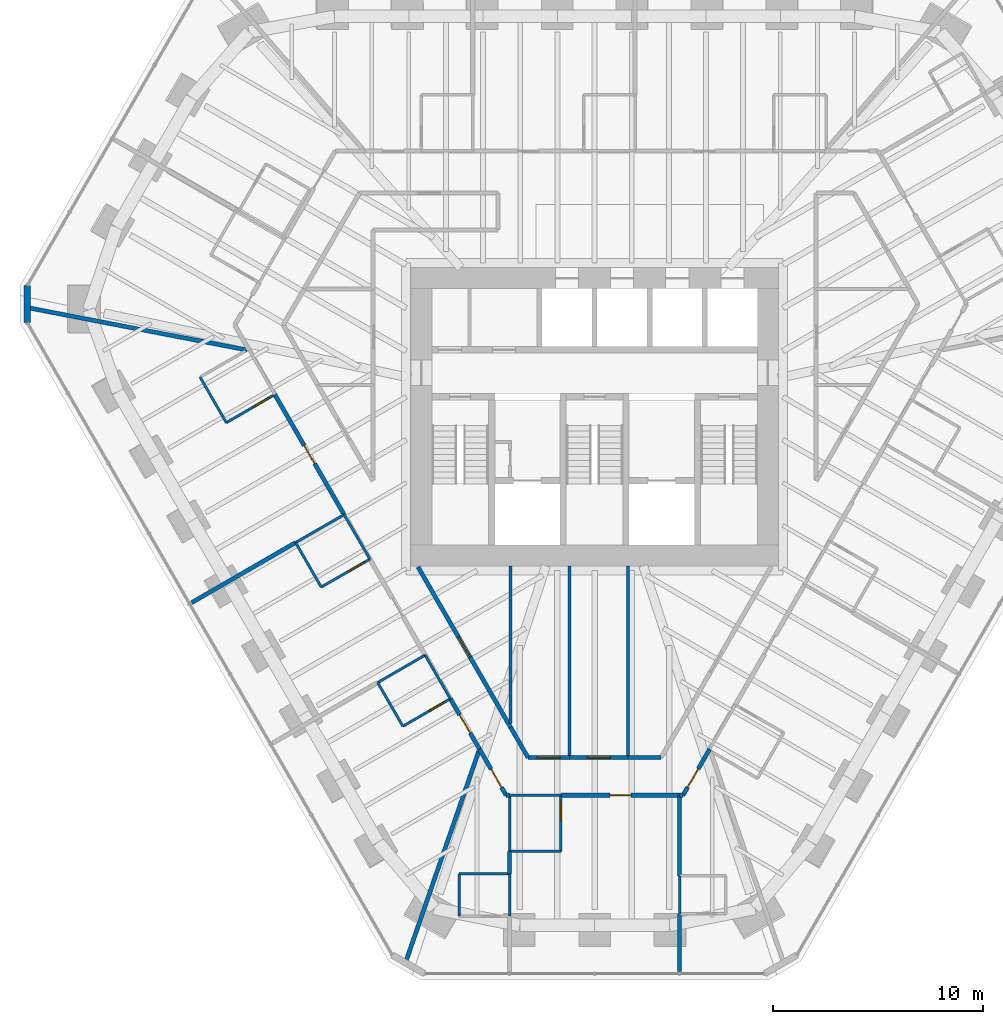
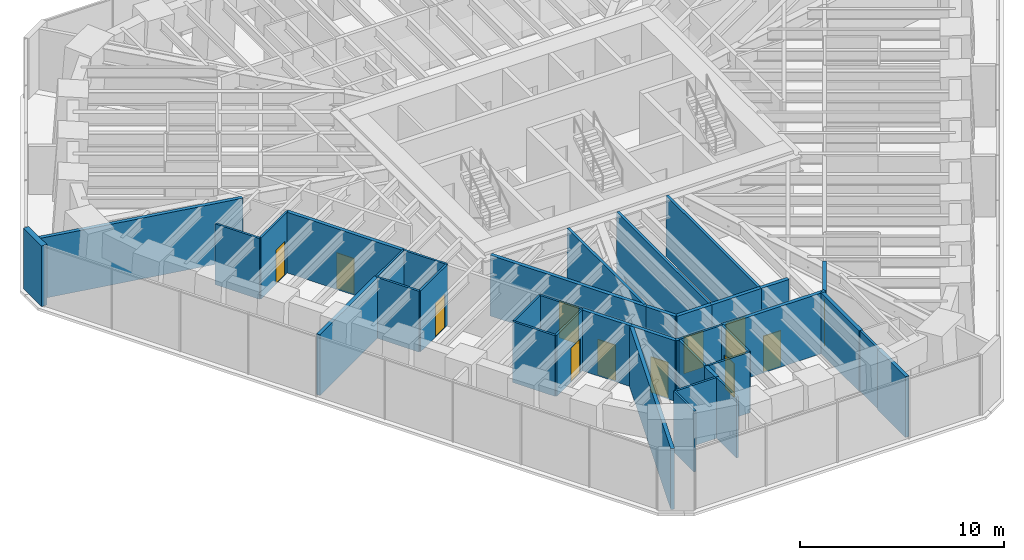
# One storey, part 11 of 16: 40 walls, 12 doors, 12 openings.
"""IFC4 building model written with IfcOpenShell, lengths in metres."""

from ifc_helpers import new_model, si_unit, direction, frame, frame_2d, origin, place, context, subcontext, project, spatial, rectangle, extrude, material, layer, layer_set, type_object, element, fill, save


model = new_model("IFC4")

# Units and contexts
model_context = context("Model", 3, precision=1e-05, world=origin(), true_north=direction((0.0, 1.0)))
body_context = subcontext(model_context, "Body", "Model", "MODEL_VIEW")
ifc_project = project(units=[si_unit("LENGTHUNIT", "METRE"), si_unit("AREAUNIT", "SQUARE_METRE"), si_unit("VOLUMEUNIT", "CUBIC_METRE"), si_unit("PLANEANGLEUNIT", "RADIAN"), si_unit("MASSUNIT", "GRAM", prefix="KILO")], contexts=[model_context])

# Site, building, storey
site_placement = place(None, origin())
site = spatial("IfcSite", under=ifc_project, at=site_placement, CompositionType="ELEMENT")
building_placement = place(site_placement, origin())
building = spatial("IfcBuilding", under=site, at=building_placement, Name="Sandreach Pilgrim Tower", CompositionType="ELEMENT")
storey_placement = place(building_placement, frame((0.0, 0.0, 244.0)))
storey = spatial("IfcBuildingStorey", under=building, at=storey_placement, Name="L61", CompositionType="ELEMENT", Elevation=244.0)

# Walls
ifc_material_1 = material(Name="Gypsum board on steel studs", Category="steel")
ifc_layer_1 = layer(ifc_material_1, 0.14990234375)
ifc_layer_set_1 = layer_set([ifc_layer_1], Name="Back of house wall 150")
wall_type_1 = type_object("IfcWallType", Name="Back of house wall 150", PredefinedType="PARTITIONING", material=ifc_layer_set_1)
wall_1_placement = place(storey_placement, frame((-4.0, -7.10009765625, 0.0), z_axis=(0.0, 0.0, 1.0), x_axis=(0.0, -1.0, 0.0)))
element("IfcWall", 1, at=wall_1_placement, inside=storey, type_object=wall_type_1, Name="Back of house wall L61-065", PredefinedType="PARTITIONING", context=body_context, shape_type="SweptSolid", body=[
    extrude(rectangle(XDim=7.514892578125, YDim=0.14990234375, at=frame_2d((3.75732421875, 0.0))), origin(), (0.0, 0.0, 1.0), 3.639892578125),
])
for number, where, z_axis, x_axis, name in (
    (2, (-1.199951171875, -7.10009765625, 0.0), (0.0, 0.0, 1.0), (0.0, -1.0, 0.0), "Back of house wall L61-070"),
    (3, (1.60009765625, -7.10009765625, 0.0), (0.0, 0.0, 1.0), (0.0, -1.0, 0.0), "Back of house wall L61-074"),
):
    element("IfcWall", number, at=place(storey_placement, frame(where, z_axis=z_axis, x_axis=x_axis)), inside=storey, type_object=wall_type_1, Name=name, PredefinedType="PARTITIONING", context=body_context, shape_type="SweptSolid", body=[
        extrude(rectangle(XDim=9.1298828125, YDim=0.14990234375, at=frame_2d((4.56494140625, 0.0))), origin(), (0.0, 0.0, 1.0), 3.639892578125),
    ])
ifc_material_2 = material(Name="Moisture-resistant gypsum board on steel studs", Category="steel")
ifc_layer_2 = layer(ifc_material_2, 0.1201171875)
ifc_layer_set_2 = layer_set([ifc_layer_2], Name="Bathroom partition 120")
wall_type_2 = type_object("IfcWallType", Name="Bathroom partition 120", PredefinedType="PARTITIONING", material=ifc_layer_set_2)
wall_2_placement = place(storey_placement, frame((-18.7900390625, 1.889892578125, 0.0), z_axis=(0.0, 0.0, 1.0), x_axis=(0.499159685399, -0.866510016372, 0.0)))
element("IfcWall", 4, at=wall_2_placement, inside=storey, type_object=wall_type_2, Name="Bathroom partition L61-004", PredefinedType="PARTITIONING", context=body_context, shape_type="SweptSolid", body=[
    extrude(rectangle(XDim=2.504150390625, YDim=0.1201171875, at=frame_2d((1.251953125, 0.0))), origin(), (0.0, 0.0, 1.0), 3.639892578125),
])

# Wall, opening, door
wall_3_placement = place(storey_placement, frame((-17.5400390625, -0.280029296875, 0.0), z_axis=(0.0, 0.0, 1.0), x_axis=(0.86498992408, 0.501789229896, 0.0)))
wall_3 = element("IfcWall", 5, at=wall_3_placement, inside=storey, type_object=wall_type_2, Name="Bathroom partition L61-006", PredefinedType="PARTITIONING", context=body_context, shape_type="SweptSolid", body=[
    extrude(rectangle(XDim=2.670654296875, YDim=0.1201171875, at=frame_2d((1.33544921875, 0.0))), origin(), (0.0, 0.0, 1.0), 3.639892578125),
])
opening_1_placement = place(wall_3_placement, frame((1.470458984375, 0.0, 0.0)))
opening_1 = element("IfcOpeningElement", 6, at=opening_1_placement, cuts=wall_3, Name="Opening D09-15B", PredefinedType="OPENING", context=body_context, shape_type="SweptSolid", body=[
    extrude(rectangle(XDim=0.89990234375, YDim=2.030029296875, at=frame_2d((0.449951171875, 1.01513671875))), frame((0.0, 0.06005859375, 0.0), z_axis=(0.0, -1.0, 0.0), x_axis=(1.0, 0.0, 0.0)), (0.0, 0.0, 1.0), 0.1201171875),
])
ifc_material_3 = material(Name="Timber door, steel frame", Category="steel")
door_type_1 = type_object("IfcDoorType", Name="Bathroom door", OperationType="SINGLE_SWING_LEFT", PredefinedType="DOOR", material=ifc_material_3)
door_1_placement = place(opening_1_placement, origin())
door_1 = element("IfcDoor", 7, at=door_1_placement, inside=storey, type_object=door_type_1, Name="Door 6115B", OperationType="SINGLE_SWING_RIGHT", OverallHeight=2.030029296875, OverallWidth=0.89990234375, PredefinedType="DOOR", context=body_context, shape_type="SweptSolid", body=[
    extrude(rectangle(XDim=0.89990234375, YDim=2.030029296875, at=frame_2d((0.449951171875, 1.01513671875))), frame((0.0, 0.02490234375, 0.0), z_axis=(0.0, -1.0, 0.0), x_axis=(1.0, 0.0, 0.0)), (0.0, 0.0, 1.0), 0.050048828125),
])
fill(opening_1, door_1)

# Walls
wall_4_placement = place(storey_placement, frame((-14.239990234375, -5.989990234375, 0.0), z_axis=(0.0, 0.0, 1.0), x_axis=(0.498748634132, -0.866746675766, 0.0)))
element("IfcWall", 8, at=wall_4_placement, inside=storey, type_object=wall_type_2, Name="Bathroom partition L61-022", PredefinedType="PARTITIONING", context=body_context, shape_type="SweptSolid", body=[
    extrude(rectangle(XDim=2.446044921875, YDim=0.1201171875, at=frame_2d((1.22314453125, 0.0))), origin(), (0.0, 0.0, 1.0), 3.639892578125),
])
wall_5_placement = place(storey_placement, frame((-14.239990234375, -5.989990234375, 0.0), z_axis=(0.0, 0.0, 1.0), x_axis=(0.866615255992, 0.498976951453, 0.0)))
element("IfcWall", 9, at=wall_5_placement, inside=storey, type_object=wall_type_2, Name="Bathroom partition L61-023", PredefinedType="PARTITIONING", context=body_context, shape_type="SweptSolid", body=[
    extrude(rectangle(XDim=2.66552734375, YDim=0.1201171875, at=frame_2d((1.332763671875, 0.0))), origin(), (0.0, 0.0, 1.0), 3.639892578125),
])

# Wall, opening, door
wall_6_placement = place(storey_placement, frame((-13.02001953125, -8.110107421875, 0.0), z_axis=(0.0, 0.0, 1.0), x_axis=(0.867545659855, 0.497357545501, 0.0)))
wall_6 = element("IfcWall", 10, at=wall_6_placement, inside=storey, type_object=wall_type_2, Name="Bathroom partition L61-028", PredefinedType="PARTITIONING", context=body_context, shape_type="SweptSolid", body=[
    extrude(rectangle(XDim=2.67431640625, YDim=0.1201171875, at=frame_2d((1.337158203125, 0.0))), origin(), (0.0, 0.0, 1.0), 3.639892578125),
])
opening_2_placement = place(wall_6_placement, frame((1.47412109375, 0.0, 0.0)))
opening_2 = element("IfcOpeningElement", 11, at=opening_2_placement, cuts=wall_6, Name="Opening D09-14B", PredefinedType="OPENING", context=body_context, shape_type="SweptSolid", body=[
    extrude(rectangle(XDim=0.89990234375, YDim=2.030029296875, at=frame_2d((0.449951171875, 1.01513671875))), frame((0.0, 0.06005859375, 0.0), z_axis=(0.0, -1.0, 0.0), x_axis=(1.0, 0.0, 0.0)), (0.0, 0.0, 1.0), 0.1201171875),
])
door_2_placement = place(opening_2_placement, origin())
door_2 = element("IfcDoor", 12, at=door_2_placement, inside=storey, type_object=door_type_1, Name="Door 6114B", OperationType="SINGLE_SWING_RIGHT", OverallHeight=2.030029296875, OverallWidth=0.89990234375, PredefinedType="DOOR", context=body_context, shape_type="SweptSolid", body=[
    extrude(rectangle(XDim=0.89990234375, YDim=2.030029296875, at=frame_2d((0.449951171875, 1.01513671875))), frame((0.0, 0.02490234375, 0.0), z_axis=(0.0, -1.0, 0.0), x_axis=(1.0, 0.0, 0.0)), (0.0, 0.0, 1.0), 0.050048828125),
])
fill(opening_2, door_2)

# Walls
wall_7_placement = place(storey_placement, frame((-11.929931640625, -4.659912109375, 0.0), z_axis=(0.0, 0.0, 1.0), x_axis=(0.501813488763, -0.864975850817, 0.0)))
element("IfcWall", 13, at=wall_7_placement, inside=storey, type_object=wall_type_2, Name="Bathroom partition L61-029", PredefinedType="PARTITIONING", context=body_context, shape_type="SweptSolid", body=[
    extrude(rectangle(XDim=2.451171875, YDim=0.1201171875, at=frame_2d((1.2255859375, 0.0))), origin(), (0.0, 0.0, 1.0), 3.639892578125),
])
wall_8_placement = place(storey_placement, frame((-10.330078125, -12.659912109375, 0.0), z_axis=(0.0, 0.0, 1.0), x_axis=(0.499693115345, -0.866202511239, 0.0)))
element("IfcWall", 14, at=wall_8_placement, inside=storey, type_object=wall_type_2, Name="Bathroom partition L61-039", PredefinedType="PARTITIONING", context=body_context, shape_type="SweptSolid", body=[
    extrude(rectangle(XDim=2.4013671875, YDim=0.1201171875, at=frame_2d((1.20068359375, 0.0))), origin(), (0.0, 0.0, 1.0), 3.639892578125),
])
wall_9_placement = place(storey_placement, frame((-10.330078125, -12.659912109375, 0.0), z_axis=(0.0, 0.0, 1.0), x_axis=(0.865195830568, 0.501434118073, 0.0)))
element("IfcWall", 15, at=wall_9_placement, inside=storey, type_object=wall_type_2, Name="Bathroom partition L61-040", PredefinedType="PARTITIONING", context=body_context, shape_type="SweptSolid", body=[
    extrude(rectangle(XDim=2.612060546875, YDim=0.1201171875, at=frame_2d((1.30615234375, 0.0))), origin(), (0.0, 0.0, 1.0), 3.639892578125),
])

# Wall, opening, door
wall_10_placement = place(storey_placement, frame((-9.1298828125, -14.739990234375, 0.0), z_axis=(0.0, 0.0, 1.0), x_axis=(0.865131772832, 0.501544629755, 0.0)))
wall_10 = element("IfcWall", 16, at=wall_10_placement, inside=storey, type_object=wall_type_2, Name="Bathroom partition L61-041", PredefinedType="PARTITIONING", context=body_context, shape_type="SweptSolid", body=[
    extrude(rectangle(XDim=2.612060546875, YDim=0.1201171875, at=frame_2d((1.30615234375, 0.0))), origin(), (0.0, 0.0, 1.0), 3.639892578125),
])
opening_3_placement = place(wall_10_placement, frame((1.412109375, 0.0, 0.0)))
opening_3 = element("IfcOpeningElement", 17, at=opening_3_placement, cuts=wall_10, Name="Opening D09-13B", PredefinedType="OPENING", context=body_context, shape_type="SweptSolid", body=[
    extrude(rectangle(XDim=0.89990234375, YDim=2.030029296875, at=frame_2d((0.449951171875, 1.01513671875))), frame((0.0, 0.06005859375, 0.0), z_axis=(0.0, -1.0, 0.0), x_axis=(1.0, 0.0, 0.0)), (0.0, 0.0, 1.0), 0.1201171875),
])
door_3_placement = place(opening_3_placement, origin())
door_3 = element("IfcDoor", 18, at=door_3_placement, inside=storey, type_object=door_type_1, Name="Door 6113B", OperationType="SINGLE_SWING_RIGHT", OverallHeight=2.030029296875, OverallWidth=0.89990234375, PredefinedType="DOOR", context=body_context, shape_type="SweptSolid", body=[
    extrude(rectangle(XDim=0.89990234375, YDim=2.030029296875, at=frame_2d((0.449951171875, 1.01513671875))), frame((0.0, 0.02490234375, 0.0), z_axis=(0.0, -1.0, 0.0), x_axis=(1.0, 0.0, 0.0)), (0.0, 0.0, 1.0), 0.050048828125),
])
fill(opening_3, door_3)

# Walls
wall_11_placement = place(storey_placement, frame((-8.070068359375, -11.35009765625, 0.0), z_axis=(0.0, 0.0, 1.0), x_axis=(0.499737123639, -0.866177122335, 0.0)))
element("IfcWall", 19, at=wall_11_placement, inside=storey, type_object=wall_type_2, Name="Bathroom partition L61-045", PredefinedType="PARTITIONING", context=body_context, shape_type="SweptSolid", body=[
    extrude(rectangle(XDim=2.401123046875, YDim=0.1201171875, at=frame_2d((1.20068359375, 0.0))), origin(), (0.0, 0.0, 1.0), 3.639892578125),
])
for number, where, z_axis, x_axis, name in (
    (20, (-6.449951171875, -21.77001953125, 0.0), (0.0, 0.0, 1.0), (0.0, -1.0, 0.0), "Bathroom partition L61-048"),
    (21, (-4.050048828125, -23.780029296875, 0.0), (0.0, 0.0, 1.0), (0.0, 1.0, 0.0), "Bathroom partition L61-058"),
):
    element("IfcWall", number, at=place(storey_placement, frame(where, z_axis=z_axis, x_axis=x_axis)), inside=storey, type_object=wall_type_2, Name=name, PredefinedType="PARTITIONING", context=body_context, shape_type="SweptSolid", body=[
        extrude(rectangle(XDim=2.010009765625, YDim=0.1201171875, at=frame_2d((1.0048828125, 0.0))), origin(), (0.0, 0.0, 1.0), 3.639892578125),
    ])
wall_12_placement = place(storey_placement, frame((-4.050048828125, -21.77001953125, 0.0), z_axis=(0.0, 0.0, 1.0), x_axis=(-1.0, 0.0, 0.0)))
element("IfcWall", 22, at=wall_12_placement, inside=storey, type_object=wall_type_2, Name="Bathroom partition L61-059", PredefinedType="PARTITIONING", context=body_context, shape_type="SweptSolid", body=[
    extrude(rectangle(XDim=2.39990234375, YDim=0.1201171875, at=frame_2d((1.199951171875, 0.0))), origin(), (0.0, 0.0, 1.0), 3.639892578125),
])
wall_13_placement = place(storey_placement, frame((-4.050048828125, -20.699951171875, 0.0), z_axis=(0.0, 0.0, 1.0), x_axis=(0.0, 1.0, 0.0)))
element("IfcWall", 23, at=wall_13_placement, inside=storey, type_object=wall_type_2, Name="Bathroom partition L61-061", PredefinedType="PARTITIONING", context=body_context, shape_type="SweptSolid", body=[
    extrude(rectangle(XDim=2.669921875, YDim=0.1201171875, at=frame_2d((1.3349609375, 0.0))), origin(), (0.0, 0.0, 1.0), 3.639892578125),
])
for number, where, z_axis, x_axis, name in (
    (24, (-4.050048828125, -20.699951171875, 0.0), (0.0, 0.0, 1.0), (1.0, 0.0, 0.0), "Bathroom partition L61-062"),
    (25, (-4.050048828125, -18.030029296875, 0.0), (0.0, 0.0, 1.0), (1.0, 0.0, 0.0), "Bathroom partition L61-063"),
):
    element("IfcWall", number, at=place(storey_placement, frame(where, z_axis=z_axis, x_axis=x_axis)), inside=storey, type_object=wall_type_2, Name=name, PredefinedType="PARTITIONING", context=body_context, shape_type="SweptSolid", body=[
        extrude(rectangle(XDim=2.449951171875, YDim=0.1201171875, at=frame_2d((1.22509765625, 0.0))), origin(), (0.0, 0.0, 1.0), 3.639892578125),
    ])

# Wall, opening, door
wall_14_placement = place(storey_placement, frame((-1.60009765625, -20.699951171875, 0.0), z_axis=(0.0, 0.0, 1.0), x_axis=(0.0, 1.0, 0.0)))
wall_14 = element("IfcWall", 26, at=wall_14_placement, inside=storey, type_object=wall_type_2, Name="Bathroom partition L61-067", PredefinedType="PARTITIONING", context=body_context, shape_type="SweptSolid", body=[
    extrude(rectangle(XDim=2.669921875, YDim=0.1201171875, at=frame_2d((1.3349609375, 0.0))), origin(), (0.0, 0.0, 1.0), 3.639892578125),
])
opening_4_placement = place(wall_14_placement, frame((1.469970703125, 0.0, 0.0)))
opening_4 = element("IfcOpeningElement", 27, at=opening_4_placement, cuts=wall_14, Name="Opening D09-11B", PredefinedType="OPENING", context=body_context, shape_type="SweptSolid", body=[
    extrude(rectangle(XDim=0.89990234375, YDim=2.030029296875, at=frame_2d((0.449951171875, 1.01513671875))), frame((0.0, 0.06005859375, 0.0), z_axis=(0.0, -1.0, 0.0), x_axis=(1.0, 0.0, 0.0)), (0.0, 0.0, 1.0), 0.1201171875),
])
door_4_placement = place(opening_4_placement, origin())
door_4 = element("IfcDoor", 28, at=door_4_placement, inside=storey, type_object=door_type_1, Name="Door 6111B", OperationType="SINGLE_SWING_RIGHT", OverallHeight=2.030029296875, OverallWidth=0.89990234375, PredefinedType="DOOR", context=body_context, shape_type="SweptSolid", body=[
    extrude(rectangle(XDim=0.89990234375, YDim=2.030029296875, at=frame_2d((0.449951171875, 1.01513671875))), frame((0.0, 0.02490234375, 0.0), z_axis=(0.0, -1.0, 0.0), x_axis=(1.0, 0.0, 0.0)), (0.0, 0.0, 1.0), 0.050048828125),
])
fill(opening_4, door_4)

# Wall
wall_15_placement = place(storey_placement, frame((4.050048828125, -23.679931640625, 0.0), z_axis=(0.0, 0.0, 1.0), x_axis=(0.0, 1.0, 0.0)))
element("IfcWall", 29, at=wall_15_placement, inside=storey, type_object=wall_type_2, Name="Bathroom partition L61-081", PredefinedType="PARTITIONING", context=body_context, shape_type="SweptSolid", body=[
    extrude(rectangle(XDim=1.809814453125, YDim=0.1201171875, at=frame_2d((0.90478515625, 0.0))), origin(), (0.0, 0.0, 1.0), 3.639892578125),
])

# Wall, opening, door
ifc_material_4 = material(Name="Gypsum board on steel studs, two layers each side", Category="steel")
ifc_layer_3 = layer(ifc_material_4, 0.199951171875)
ifc_layer_set_3 = layer_set([ifc_layer_3], Name="Corridor wall 200")
wall_type_3 = type_object("IfcWallType", Name="Corridor wall 200", PredefinedType="PARTITIONING", material=ifc_layer_set_3)
wall_16_placement = place(storey_placement, frame((-15.22998046875, 1.06005859375, 0.0), z_axis=(0.0, 0.0, 1.0), x_axis=(0.499729921425, -0.866181277581, 0.0)))
wall_16 = element("IfcWall", 30, at=wall_16_placement, inside=storey, type_object=wall_type_3, Name="Corridor wall L61-016", PredefinedType="PARTITIONING", context=body_context, shape_type="SweptSolid", body=[
    extrude(rectangle(XDim=6.603759765625, YDim=0.199951171875, at=frame_2d((3.3017578125, 0.0))), origin(), (0.0, 0.0, 1.0), 3.639892578125),
])
opening_5_placement = place(wall_16_placement, frame((2.802001953125, 0.0, 0.0)))
opening_5 = element("IfcOpeningElement", 31, at=opening_5_placement, cuts=wall_16, Name="Opening D10-15", PredefinedType="OPENING", context=body_context, shape_type="SweptSolid", body=[
    extrude(rectangle(XDim=1.0, YDim=2.1298828125, at=frame_2d((0.5, 1.06494140625))), frame((0.0, 0.10009765625, 0.0), z_axis=(0.0, -1.0, 0.0), x_axis=(1.0, 0.0, 0.0)), (0.0, 0.0, 1.0), 0.199951171875),
])
ifc_material_5 = material(Name="Steel door and frame", Category="steel")
door_type_2 = type_object("IfcDoorType", Name="Guest room entry door", OperationType="SINGLE_SWING_LEFT", PredefinedType="DOOR", material=ifc_material_5)
door_5_placement = place(opening_5_placement, origin())
door_5 = element("IfcDoor", 32, at=door_5_placement, inside=storey, type_object=door_type_2, Name="Door 6115", OperationType="SINGLE_SWING_LEFT", OverallHeight=2.1298828125, OverallWidth=1.0, PredefinedType="DOOR", context=body_context, shape_type="SweptSolid", body=[
    extrude(rectangle(XDim=1.0, YDim=2.1298828125, at=frame_2d((0.5, 1.06494140625))), frame((0.0, 0.02490234375, 0.0), z_axis=(0.0, -1.0, 0.0), x_axis=(1.0, 0.0, 0.0)), (0.0, 0.0, 1.0), 0.050048828125),
])
fill(opening_5, door_5)

wall_17_placement = place(storey_placement, frame((-6.8701171875, -13.429931640625, 0.0), z_axis=(0.0, 0.0, 1.0), x_axis=(0.501192399481, -0.865335876237, 0.0)))
wall_17 = element("IfcWall", 33, at=wall_17_placement, inside=storey, type_object=wall_type_3, Name="Corridor wall L61-046", PredefinedType="PARTITIONING", context=body_context, shape_type="SweptSolid", body=[
    extrude(rectangle(XDim=2.773681640625, YDim=0.199951171875, at=frame_2d((1.38671875, 0.0))), origin(), (0.0, 0.0, 1.0), 3.639892578125),
])
opening_6_placement = place(wall_17_placement, frame((0.88671875, 0.0, 0.0)))
opening_6 = element("IfcOpeningElement", 34, at=opening_6_placement, cuts=wall_17, Name="Opening D10-13", PredefinedType="OPENING", context=body_context, shape_type="SweptSolid", body=[
    extrude(rectangle(XDim=1.0, YDim=2.1298828125, at=frame_2d((0.5, 1.06494140625))), frame((0.0, 0.10009765625, 0.0), z_axis=(0.0, -1.0, 0.0), x_axis=(1.0, 0.0, 0.0)), (0.0, 0.0, 1.0), 0.199951171875),
])
door_6_placement = place(opening_6_placement, origin())
door_6 = element("IfcDoor", 35, at=door_6_placement, inside=storey, type_object=door_type_2, Name="Door 6113", OperationType="SINGLE_SWING_LEFT", OverallHeight=2.1298828125, OverallWidth=1.0, PredefinedType="DOOR", context=body_context, shape_type="SweptSolid", body=[
    extrude(rectangle(XDim=1.0, YDim=2.1298828125, at=frame_2d((0.5, 1.06494140625))), frame((0.0, 0.02490234375, 0.0), z_axis=(0.0, -1.0, 0.0), x_axis=(1.0, 0.0, 0.0)), (0.0, 0.0, 1.0), 0.050048828125),
])
fill(opening_6, door_6)

wall_18_placement = place(storey_placement, frame((-5.47998046875, -15.830078125, 0.0), z_axis=(0.0, 0.0, 1.0), x_axis=(0.499963722229, -0.866046347752, 0.0)))
wall_18 = element("IfcWall", 36, at=wall_18_placement, inside=storey, type_object=wall_type_3, Name="Corridor wall L61-053", PredefinedType="PARTITIONING", context=body_context, shape_type="SweptSolid", body=[
    extrude(rectangle(XDim=2.540283203125, YDim=0.199951171875, at=frame_2d((1.27001953125, 0.0))), origin(), (0.0, 0.0, 1.0), 3.639892578125),
])
opening_7_placement = place(wall_18_placement, frame((1.10009765625, 0.0, 0.0)))
opening_7 = element("IfcOpeningElement", 37, at=opening_7_placement, cuts=wall_18, Name="Opening D10-12", PredefinedType="OPENING", context=body_context, shape_type="SweptSolid", body=[
    extrude(rectangle(XDim=1.0, YDim=2.1298828125, at=frame_2d((0.5, 1.06494140625))), frame((0.0, 0.10009765625, 0.0), z_axis=(0.0, -1.0, 0.0), x_axis=(1.0, 0.0, 0.0)), (0.0, 0.0, 1.0), 0.199951171875),
])
door_7_placement = place(opening_7_placement, origin())
door_7 = element("IfcDoor", 38, at=door_7_placement, inside=storey, type_object=door_type_2, Name="Door 6112", OperationType="SINGLE_SWING_RIGHT", OverallHeight=2.1298828125, OverallWidth=1.0, PredefinedType="DOOR", context=body_context, shape_type="SweptSolid", body=[
    extrude(rectangle(XDim=1.0, YDim=2.1298828125, at=frame_2d((0.5, 1.06494140625))), frame((0.0, 0.02490234375, 0.0), z_axis=(0.0, -1.0, 0.0), x_axis=(1.0, 0.0, 0.0)), (0.0, 0.0, 1.0), 0.050048828125),
])
fill(opening_7, door_7)

# Wall
wall_19_placement = place(storey_placement, frame((-4.2099609375, -18.030029296875, 0.0), z_axis=(0.0, 0.0, 1.0), x_axis=(1.0, 0.0, 0.0)))
element("IfcWall", 39, at=wall_19_placement, inside=storey, type_object=wall_type_3, Name="Corridor wall L61-056", PredefinedType="PARTITIONING", context=body_context, shape_type="SweptSolid", body=[
    extrude(rectangle(XDim=0.159912109375, YDim=0.199951171875, at=frame_2d((0.080078125, 0.0))), origin(), (0.0, 0.0, 1.0), 3.639892578125),
])

# Wall, opening, door
wall_20_placement = place(storey_placement, frame((-4.0, -14.7900390625, 0.0), z_axis=(0.0, 0.0, 1.0), x_axis=(-0.499916512745, 0.866073599808, 0.0)))
wall_20 = element("IfcWall", 40, at=wall_20_placement, inside=storey, type_object=wall_type_3, Name="Corridor wall L61-064", PredefinedType="PARTITIONING", context=body_context, shape_type="SweptSolid", body=[
    extrude(rectangle(XDim=8.8212890625, YDim=0.199951171875, at=frame_2d((4.41064453125, 0.0))), origin(), (0.0, 0.0, 1.0), 3.639892578125),
])
opening_8_placement = place(wall_20_placement, frame((3.860595703125, 0.0, 0.0)))
opening_8 = element("IfcOpeningElement", 41, at=opening_8_placement, cuts=wall_20, Name="Opening D11H-S1", PredefinedType="OPENING", context=body_context, shape_type="SweptSolid", body=[
    extrude(rectangle(XDim=1.10009765625, YDim=2.199951171875, at=frame_2d((0.550048828125, 1.10009765625))), frame((0.0, 0.10009765625, 0.0), z_axis=(0.0, -1.0, 0.0), x_axis=(1.0, 0.0, 0.0)), (0.0, 0.0, 1.0), 0.199951171875),
])
ifc_material_6 = material(Name="Steel door and frame", Category="steel")
door_type_3 = type_object("IfcDoorType", Name="Back of house door", OperationType="SINGLE_SWING_LEFT", PredefinedType="DOOR", material=ifc_material_6)
door_8_placement = place(opening_8_placement, origin())
door_8 = element("IfcDoor", 42, at=door_8_placement, inside=storey, type_object=door_type_3, Name="Door 61S1", OperationType="SINGLE_SWING_LEFT", OverallHeight=2.199951171875, OverallWidth=1.10009765625, PredefinedType="DOOR", context=body_context, shape_type="SweptSolid", body=[
    extrude(rectangle(XDim=1.10009765625, YDim=2.199951171875, at=frame_2d((0.550048828125, 1.10009765625))), frame((0.0, 0.02490234375, 0.0), z_axis=(0.0, -1.0, 0.0), x_axis=(1.0, 0.0, 0.0)), (0.0, 0.0, 1.0), 0.050048828125),
])
fill(opening_8, door_8)

# Wall
wall_21_placement = place(storey_placement, frame((-3.169921875, -16.22998046875, 0.0), z_axis=(0.0, 0.0, 1.0), x_axis=(-0.499425709803, 0.866356716594, 0.0)))
element("IfcWall", 43, at=wall_21_placement, inside=storey, type_object=wall_type_3, Name="Corridor wall L61-066", PredefinedType="PARTITIONING", context=body_context, shape_type="SweptSolid", body=[
    extrude(rectangle(XDim=1.662109375, YDim=0.199951171875, at=frame_2d((0.8310546875, 0.0))), origin(), (0.0, 0.0, 1.0), 3.639892578125),
])

# Wall, opening, door
wall_22_placement = place(storey_placement, frame((-1.60009765625, -18.030029296875, 0.0), z_axis=(0.0, 0.0, 1.0), x_axis=(1.0, 0.0, 0.0)))
wall_22 = element("IfcWall", 44, at=wall_22_placement, inside=storey, type_object=wall_type_3, Name="Corridor wall L61-068", PredefinedType="PARTITIONING", context=body_context, shape_type="SweptSolid", body=[
    extrude(rectangle(XDim=5.650146484375, YDim=0.199951171875, at=frame_2d((2.8251953125, 0.0))), origin(), (0.0, 0.0, 1.0), 3.639892578125),
])
opening_9_placement = place(wall_22_placement, frame((2.324951171875, 0.0, 0.0)))
opening_9 = element("IfcOpeningElement", 45, at=opening_9_placement, cuts=wall_22, Name="Opening D10-11", PredefinedType="OPENING", context=body_context, shape_type="SweptSolid", body=[
    extrude(rectangle(XDim=1.0, YDim=2.1298828125, at=frame_2d((0.5, 1.06494140625))), frame((0.0, 0.10009765625, 0.0), z_axis=(0.0, -1.0, 0.0), x_axis=(1.0, 0.0, 0.0)), (0.0, 0.0, 1.0), 0.199951171875),
])
door_9_placement = place(opening_9_placement, origin())
door_9 = element("IfcDoor", 46, at=door_9_placement, inside=storey, type_object=door_type_2, Name="Door 6111", OperationType="SINGLE_SWING_LEFT", OverallHeight=2.1298828125, OverallWidth=1.0, PredefinedType="DOOR", context=body_context, shape_type="SweptSolid", body=[
    extrude(rectangle(XDim=1.0, YDim=2.1298828125, at=frame_2d((0.5, 1.06494140625))), frame((0.0, 0.02490234375, 0.0), z_axis=(0.0, -1.0, 0.0), x_axis=(1.0, 0.0, 0.0)), (0.0, 0.0, 1.0), 0.050048828125),
])
fill(opening_9, door_9)

wall_23_placement = place(storey_placement, frame((-1.199951171875, -16.22998046875, 0.0), z_axis=(0.0, 0.0, 1.0), x_axis=(-1.0, 0.0, 0.0)))
wall_23 = element("IfcWall", 47, at=wall_23_placement, inside=storey, type_object=wall_type_3, Name="Corridor wall L61-069", PredefinedType="PARTITIONING", context=body_context, shape_type="SweptSolid", body=[
    extrude(rectangle(XDim=1.969970703125, YDim=0.199951171875, at=frame_2d((0.98486328125, 0.0))), origin(), (0.0, 0.0, 1.0), 3.639892578125),
])
opening_10_placement = place(wall_23_placement, frame((0.43505859375, 0.0, 0.0)))
opening_10 = element("IfcOpeningElement", 48, at=opening_10_placement, cuts=wall_23, Name="Opening D11H-S2", PredefinedType="OPENING", context=body_context, shape_type="SweptSolid", body=[
    extrude(rectangle(XDim=1.10009765625, YDim=2.199951171875, at=frame_2d((0.550048828125, 1.10009765625))), frame((0.0, 0.10009765625, 0.0), z_axis=(0.0, -1.0, 0.0), x_axis=(1.0, 0.0, 0.0)), (0.0, 0.0, 1.0), 0.199951171875),
])
door_10_placement = place(opening_10_placement, origin())
door_10 = element("IfcDoor", 49, at=door_10_placement, inside=storey, type_object=door_type_3, Name="Door 61S2", OperationType="SINGLE_SWING_LEFT", OverallHeight=2.199951171875, OverallWidth=1.10009765625, PredefinedType="DOOR", context=body_context, shape_type="SweptSolid", body=[
    extrude(rectangle(XDim=1.10009765625, YDim=2.199951171875, at=frame_2d((0.550048828125, 1.10009765625))), frame((0.0, 0.02490234375, 0.0), z_axis=(0.0, -1.0, 0.0), x_axis=(1.0, 0.0, 0.0)), (0.0, 0.0, 1.0), 0.050048828125),
])
fill(opening_10, door_10)

wall_24_placement = place(storey_placement, frame((1.60009765625, -16.22998046875, 0.0), z_axis=(0.0, 0.0, 1.0), x_axis=(-1.0, 0.0, 0.0)))
wall_24 = element("IfcWall", 50, at=wall_24_placement, inside=storey, type_object=wall_type_3, Name="Corridor wall L61-073", PredefinedType="PARTITIONING", context=body_context, shape_type="SweptSolid", body=[
    extrude(rectangle(XDim=2.800048828125, YDim=0.199951171875, at=frame_2d((1.39990234375, 0.0))), origin(), (0.0, 0.0, 1.0), 3.639892578125),
])
opening_11_placement = place(wall_24_placement, frame((0.85009765625, 0.0, 0.0)))
opening_11 = element("IfcOpeningElement", 51, at=opening_11_placement, cuts=wall_24, Name="Opening D11H-S3", PredefinedType="OPENING", context=body_context, shape_type="SweptSolid", body=[
    extrude(rectangle(XDim=1.10009765625, YDim=2.199951171875, at=frame_2d((0.550048828125, 1.10009765625))), frame((0.0, 0.10009765625, 0.0), z_axis=(0.0, -1.0, 0.0), x_axis=(1.0, 0.0, 0.0)), (0.0, 0.0, 1.0), 0.199951171875),
])
door_11_placement = place(opening_11_placement, origin())
door_11 = element("IfcDoor", 52, at=door_11_placement, inside=storey, type_object=door_type_3, Name="Door 61S3", OperationType="SINGLE_SWING_LEFT", OverallHeight=2.199951171875, OverallWidth=1.10009765625, PredefinedType="DOOR", context=body_context, shape_type="SweptSolid", body=[
    extrude(rectangle(XDim=1.10009765625, YDim=2.199951171875, at=frame_2d((0.550048828125, 1.10009765625))), frame((0.0, 0.02490234375, 0.0), z_axis=(0.0, -1.0, 0.0), x_axis=(1.0, 0.0, 0.0)), (0.0, 0.0, 1.0), 0.050048828125),
])
fill(opening_11, door_11)

# Walls
wall_25_placement = place(storey_placement, frame((3.169921875, -16.22998046875, 0.0), z_axis=(0.0, 0.0, 1.0), x_axis=(-1.0, 0.0, 0.0)))
element("IfcWall", 53, at=wall_25_placement, inside=storey, type_object=wall_type_3, Name="Corridor wall L61-079", PredefinedType="PARTITIONING", context=body_context, shape_type="SweptSolid", body=[
    extrude(rectangle(XDim=1.56982421875, YDim=0.199951171875, at=frame_2d((0.784912109375, 0.0))), origin(), (0.0, 0.0, 1.0), 3.639892578125),
])
wall_26_placement = place(storey_placement, frame((4.050048828125, -18.030029296875, 0.0), z_axis=(0.0, 0.0, 1.0), x_axis=(1.0, 0.0, 0.0)))
element("IfcWall", 54, at=wall_26_placement, inside=storey, type_object=wall_type_3, Name="Corridor wall L61-084", PredefinedType="PARTITIONING", context=body_context, shape_type="SweptSolid", body=[
    extrude(rectangle(XDim=0.159912109375, YDim=0.199951171875, at=frame_2d((0.080078125, 0.0))), origin(), (0.0, 0.0, 1.0), 3.639892578125),
])

# Wall, opening, door
wall_27_placement = place(storey_placement, frame((4.2099609375, -18.030029296875, 0.0), z_axis=(0.0, 0.0, 1.0), x_axis=(0.499963722229, 0.866046347752, 0.0)))
wall_27 = element("IfcWall", 55, at=wall_27_placement, inside=storey, type_object=wall_type_3, Name="Corridor wall L61-085", PredefinedType="PARTITIONING", context=body_context, shape_type="SweptSolid", body=[
    extrude(rectangle(XDim=2.540283203125, YDim=0.199951171875, at=frame_2d((1.27001953125, 0.0))), origin(), (0.0, 0.0, 1.0), 3.639892578125),
])
opening_12_placement = place(wall_27_placement, frame((0.449951171875, 0.0, 0.0)))
opening_12 = element("IfcOpeningElement", 56, at=opening_12_placement, cuts=wall_27, Name="Opening D10-10", PredefinedType="OPENING", context=body_context, shape_type="SweptSolid", body=[
    extrude(rectangle(XDim=1.0, YDim=2.1298828125, at=frame_2d((0.5, 1.06494140625))), frame((0.0, 0.10009765625, 0.0), z_axis=(0.0, -1.0, 0.0), x_axis=(1.0, 0.0, 0.0)), (0.0, 0.0, 1.0), 0.199951171875),
])
door_12_placement = place(opening_12_placement, origin())
door_12 = element("IfcDoor", 57, at=door_12_placement, inside=storey, type_object=door_type_2, Name="Door 6110", OperationType="SINGLE_SWING_LEFT", OverallHeight=2.1298828125, OverallWidth=1.0, PredefinedType="DOOR", context=body_context, shape_type="SweptSolid", body=[
    extrude(rectangle(XDim=1.0, YDim=2.1298828125, at=frame_2d((0.5, 1.06494140625))), frame((0.0, 0.02490234375, 0.0), z_axis=(0.0, -1.0, 0.0), x_axis=(1.0, 0.0, 0.0)), (0.0, 0.0, 1.0), 0.050048828125),
])
fill(opening_12, door_12)

# Walls
ifc_material_7 = material(Name="Double steel stud acoustic wall, gypsum board", Category="steel")
ifc_layer_4 = layer(ifc_material_7, 0.199951171875)
ifc_layer_set_4 = layer_set([ifc_layer_4], Name="Party wall 200")
wall_type_4 = type_object("IfcWallType", Name="Party wall 200", PredefinedType="PARTITIONING", material=ifc_layer_set_4)
wall_28_placement = place(storey_placement, frame((-27.04052734375, 5.204345703125, 0.0), z_axis=(0.0, 0.0, 1.0), x_axis=(0.981884490433, -0.18948046719, 0.0)))
element("IfcWall", 58, at=wall_28_placement, inside=storey, type_object=wall_type_4, Name="Party wall L61-001", PredefinedType="PARTITIONING", context=body_context, shape_type="SweptSolid", body=[
    extrude(rectangle(XDim=10.68408203125, YDim=0.199951171875, at=frame_2d((5.342041015625, 0.0))), origin(), (0.0, 0.0, 1.0), 3.639892578125),
])
wall_29_placement = place(storey_placement, frame((-19.18603515625, -8.849853515625, 0.0), z_axis=(0.0, 0.0, 1.0), x_axis=(0.865702137343, 0.500559496364, 0.0)))
element("IfcWall", 59, at=wall_29_placement, inside=storey, type_object=wall_type_4, Name="Party wall L61-003", PredefinedType="PARTITIONING", context=body_context, shape_type="SweptSolid", body=[
    extrude(rectangle(XDim=5.71337890625, YDim=0.199951171875, at=frame_2d((2.856689453125, 0.0))), origin(), (0.0, 0.0, 1.0), 3.639892578125),
])
wall_30_placement = place(storey_placement, frame((-9.01025390625, -26.01171875, 0.0), z_axis=(0.0, 0.0, 1.0), x_axis=(0.327582991606, 0.944822408504, 0.0)))
element("IfcWall", 60, at=wall_30_placement, inside=storey, type_object=wall_type_4, Name="Party wall L61-042", PredefinedType="PARTITIONING", context=body_context, shape_type="SweptSolid", body=[
    extrude(rectangle(XDim=10.66650390625, YDim=0.199951171875, at=frame_2d((5.333251953125, 0.0))), origin(), (0.0, 0.0, 1.0), 3.639892578125),
])
wall_31_placement = place(storey_placement, frame((-4.050048828125, -21.77001953125, 0.0), z_axis=(0.0, 0.0, 1.0), x_axis=(0.0, 1.0, 0.0)))
element("IfcWall", 61, at=wall_31_placement, inside=storey, type_object=wall_type_4, Name="Party wall L61-060", PredefinedType="PARTITIONING", context=body_context, shape_type="SweptSolid", body=[
    extrude(rectangle(XDim=1.070068359375, YDim=0.199951171875, at=frame_2d((0.53515625, 0.0))), origin(), (0.0, 0.0, 1.0), 3.639892578125),
])
wall_32_placement = place(storey_placement, frame((4.050048828125, -26.409912109375, 0.0), z_axis=(0.0, 0.0, 1.0), x_axis=(0.0, 1.0, 0.0)))
element("IfcWall", 62, at=wall_32_placement, inside=storey, type_object=wall_type_4, Name="Party wall L61-080", PredefinedType="PARTITIONING", context=body_context, shape_type="SweptSolid", body=[
    extrude(rectangle(XDim=2.72998046875, YDim=0.199951171875, at=frame_2d((1.364990234375, 0.0))), origin(), (0.0, 0.0, 1.0), 3.639892578125),
])
wall_33_placement = place(storey_placement, frame((4.050048828125, -21.8701171875, 0.0), z_axis=(0.0, 0.0, 1.0), x_axis=(0.0, 1.0, 0.0)))
element("IfcWall", 63, at=wall_33_placement, inside=storey, type_object=wall_type_4, Name="Party wall L61-083", PredefinedType="PARTITIONING", context=body_context, shape_type="SweptSolid", body=[
    extrude(rectangle(XDim=3.830078125, YDim=0.199951171875, at=frame_2d((1.9150390625, 0.0))), origin(), (0.0, 0.0, 1.0), 3.639892578125),
])
ifc_material_8 = material(Name="Terracotta rainscreen on concrete", Category="masonry")
ifc_layer_5 = layer(ifc_material_8, 0.300048828125)
ifc_layer_set_5 = layer_set([ifc_layer_5], Name="Terracotta chamfer pier")
wall_type_5 = type_object("IfcWallType", Name="Terracotta chamfer pier", PredefinedType="SOLIDWALL", material=ifc_layer_set_5)
wall_34_placement = place(storey_placement, frame((-27.02001953125, 4.47998046875, 0.0), z_axis=(0.0, 0.0, 1.0), x_axis=(0.0, 1.0, 0.0)))
element("IfcWall", 64, at=wall_34_placement, inside=storey, type_object=wall_type_5, Name="Chamfer pier L61 SW", PredefinedType="SOLIDWALL", context=body_context, shape_type="SweptSolid", body=[
    extrude(rectangle(XDim=1.77001953125, YDim=0.300048828125, at=frame_2d((0.885009765625, 0.0))), origin(), (0.0, 0.0, 1.0), 3.639892578125),
])

save(model, "model.ifc")
